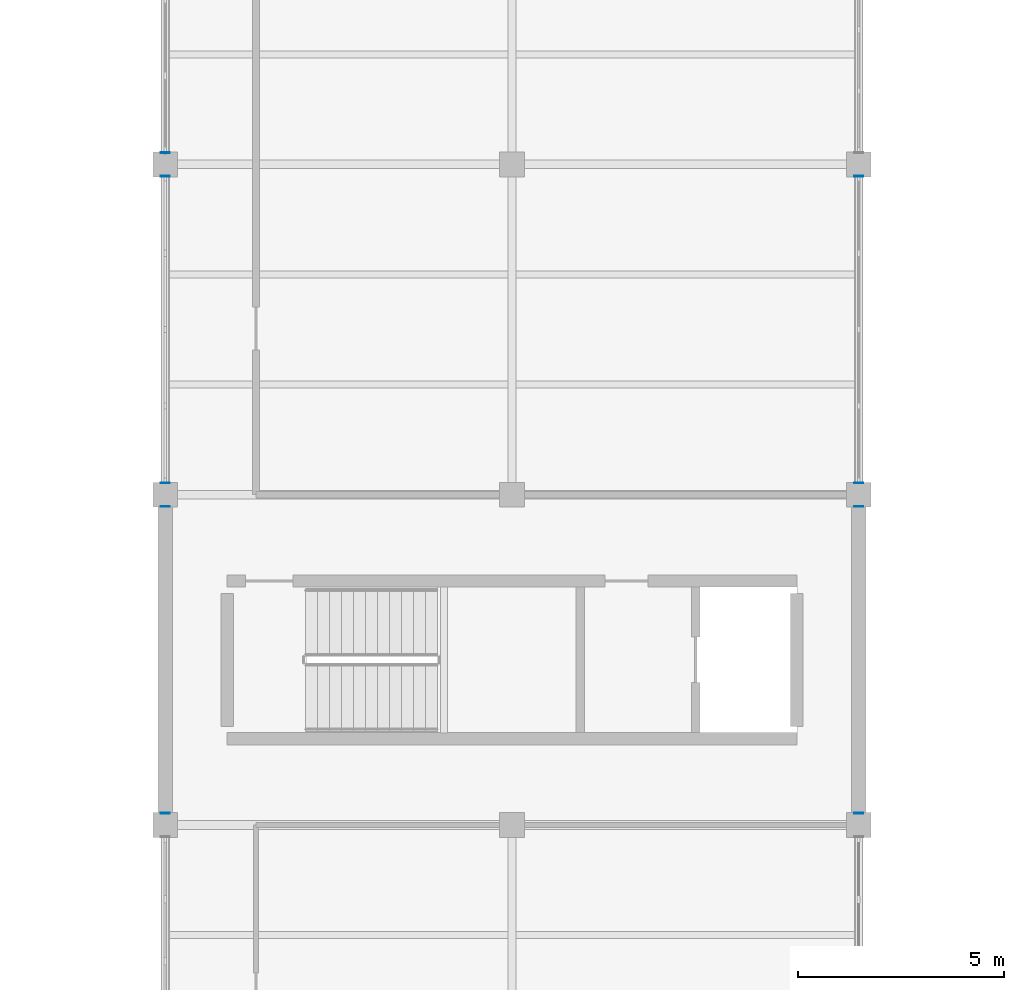
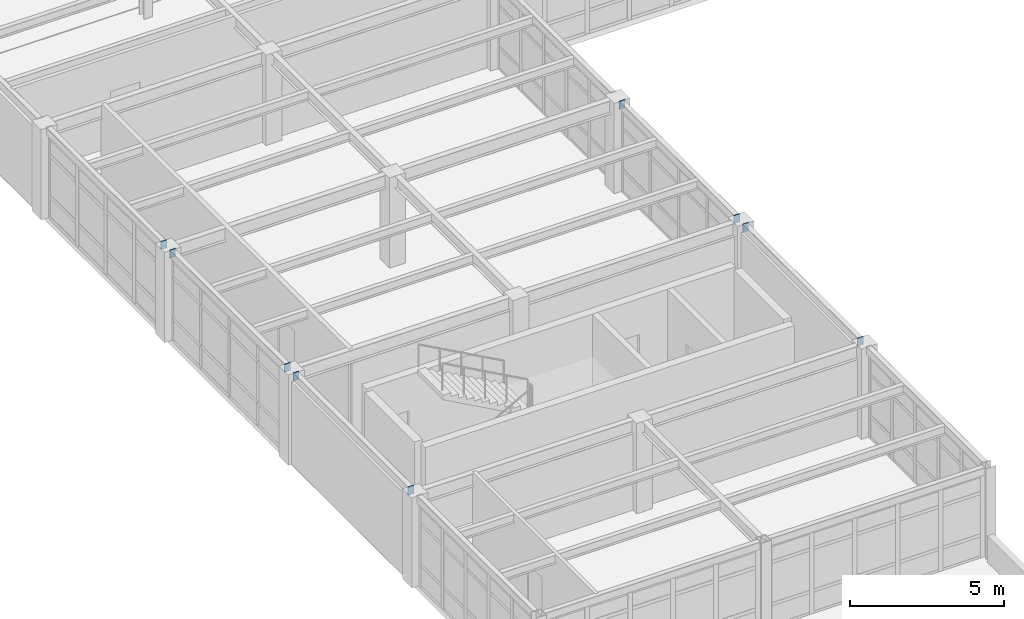
# One storey, part 78 of 96: 9 discrete accessories.
"""IFC4 building model written with IfcOpenShell, lengths in metres."""

from ifc_helpers import new_model, si_unit, direction, frame, origin, origin_2d, place, context, subcontext, project, spatial, rectangle, extrude, material, layer, layer_set, type_object, element, save


model = new_model("IFC4")

# Units and contexts
model_context = context("Model", 3, precision=1e-05, world=origin(), true_north=direction((0.0, 1.0)))
body_context = subcontext(model_context, "Body", "Model", "MODEL_VIEW")
ifc_project = project(units=[si_unit("LENGTHUNIT", "METRE"), si_unit("AREAUNIT", "SQUARE_METRE"), si_unit("VOLUMEUNIT", "CUBIC_METRE"), si_unit("PLANEANGLEUNIT", "RADIAN"), si_unit("MASSUNIT", "GRAM", prefix="KILO")], contexts=[model_context])

# Site, building, storey
site_placement = place(None, origin())
site = spatial("IfcSite", under=ifc_project, at=site_placement, CompositionType="ELEMENT")
building_placement = place(site_placement, origin())
building = spatial("IfcBuilding", under=site, at=building_placement, Name="Kranzveld Transit Interchange", CompositionType="ELEMENT")
storey_placement = place(building_placement, frame((0.0, 0.0, 9.52001953125)))
storey = spatial("IfcBuildingStorey", under=building, at=storey_placement, Name="L02", CompositionType="ELEMENT", Elevation=9.52001953125)

# Discrete accessories
ifc_material = material(Name="Steel S355JR", Category="steel")
ifc_layer = layer(ifc_material, 0.02001953125)
ifc_layer_set = layer_set([ifc_layer], Name="Steel S355JR")
discrete_accessory_type = type_object("IfcDiscreteAccessoryType", Name="Hollow Section End Cap Bracket 20 S355JR", PredefinedType="BRACKET", material=ifc_layer_set)
for number, where, z_axis, x_axis, name in (
    (1, (100.800048828125, 72.2939453125, 3.419921875), (0.0, -1.0, 0.0), (1.0, 0.0, 0.0), "Hollow Section End Cap SP-RHS300-1"),
    (2, (100.800048828125, 79.7060546875, 3.419921875), (0.0, 1.0, 0.0), (-1.0, 0.0, 0.0), "Hollow Section End Cap SP-RHS300-2"),
    (3, (100.800048828125, 80.2939453125, 3.419921875), (0.0, -1.0, 0.0), (1.0, 0.0, 0.0), "Hollow Section End Cap SP-RHS300-1"),
    (4, (100.800048828125, 87.7060546875, 3.419921875), (0.0, 1.0, 0.0), (-1.0, 0.0, 0.0), "Hollow Section End Cap SP-RHS300-2"),
    (5, (100.800048828125, 88.2939453125, 3.419921875), (0.0, -1.0, 0.0), (1.0, 0.0, 0.0), "Hollow Section End Cap SP-RHS300-1"),
    (6, (117.60009765625, 72.2939453125, 3.419921875), (0.0, -1.0, 0.0), (1.0, 0.0, 0.0), "Hollow Section End Cap SP-RHS300-1"),
    (7, (117.60009765625, 79.7060546875, 3.419921875), (0.0, 1.0, 0.0), (-1.0, 0.0, 0.0), "Hollow Section End Cap SP-RHS300-2"),
    (8, (117.60009765625, 80.2939453125, 3.419921875), (0.0, -1.0, 0.0), (1.0, 0.0, 0.0), "Hollow Section End Cap SP-RHS300-1"),
    (9, (117.60009765625, 87.7060546875, 3.419921875), (0.0, 1.0, 0.0), (-1.0, 0.0, 0.0), "Hollow Section End Cap SP-RHS300-2"),
):
    element("IfcDiscreteAccessory", number, at=place(storey_placement, frame(where, z_axis=z_axis, x_axis=x_axis)), inside=storey, type_object=discrete_accessory_type, Name=name, PredefinedType="BRACKET", context=body_context, shape_type="SweptSolid", body=[
        extrude(rectangle(XDim=0.22412109375, YDim=0.323974609375, at=origin_2d()), origin(), (0.0, 0.0, 1.0), 0.02001953125),
    ])

save(model, "model.ifc")
